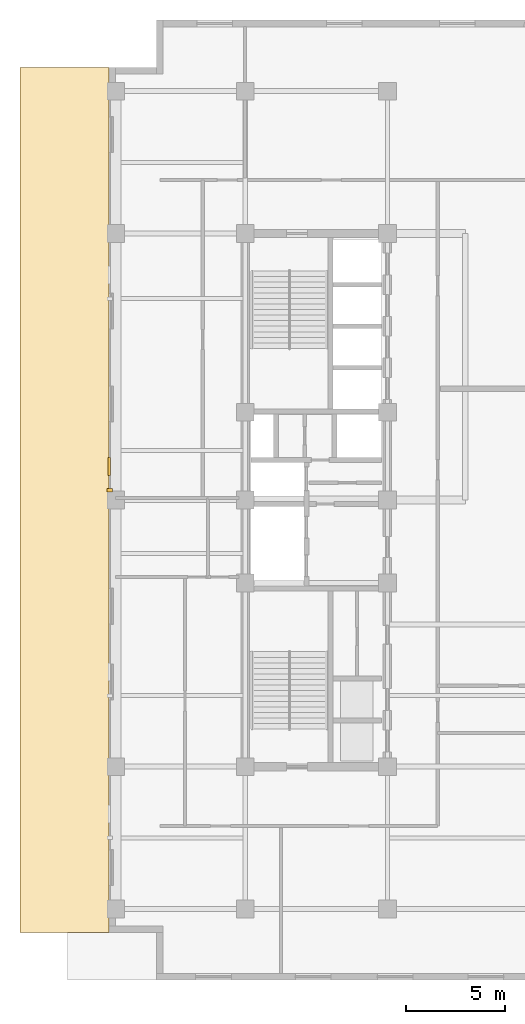
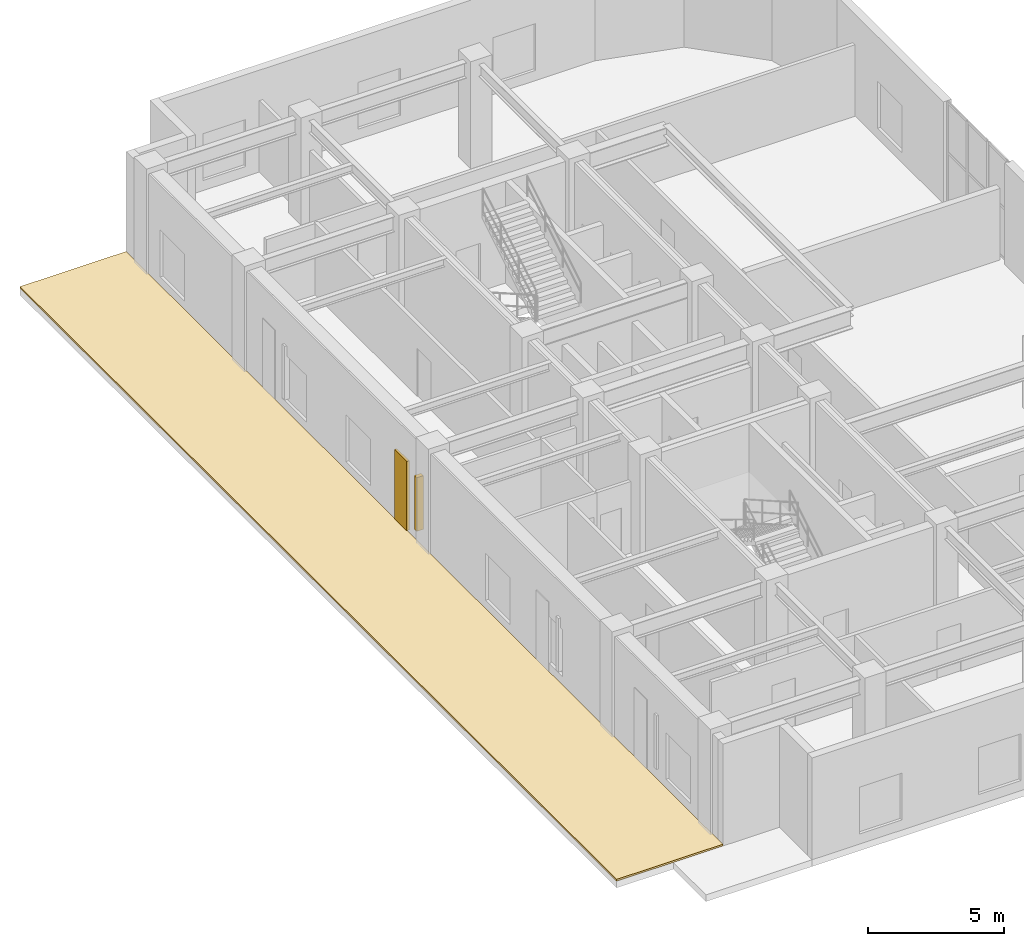
# One storey, part 12 of 16: 2 coverings, 1 shading device.
"""IFC4 building model written with IfcOpenShell, lengths in metres."""

from ifc_helpers import new_model, entity, si_unit, converted_unit, direction, frame, origin_with_axes, origin_2d_with_axis, place, context, subcontext, project, spatial, polyline, rectangle, outline, extrude, material, layer, layer_set, type_object, element, save


model = new_model("IFC4")

# Units and contexts
model_context = context("Model", 3, precision=1e-05, world=origin_with_axes(), true_north=direction((0.0, 1.0)))
body_context = subcontext(model_context, "Body", "Model", "MODEL_VIEW")
ifc_project = project(units=[si_unit("LENGTHUNIT", "METRE"), si_unit("AREAUNIT", "SQUARE_METRE"), si_unit("VOLUMEUNIT", "CUBIC_METRE"), converted_unit("PLANEANGLEUNIT", "DEGREE", entity("IfcPlaneAngleMeasure", 0.017453292519943295), si_unit("PLANEANGLEUNIT", "RADIAN"), dimensions=[0, 0, 0, 0, 0, 0, 0]), si_unit("MASSUNIT", "GRAM", prefix="KILO"), si_unit("THERMODYNAMICTEMPERATUREUNIT", "KELVIN")], contexts=[model_context])

# Site, building, storey
site_placement = place(None, origin_with_axes())
site = spatial("IfcSite", under=ifc_project, at=site_placement, CompositionType="ELEMENT")
building_placement = place(site_placement, origin_with_axes())
building = spatial("IfcBuilding", under=site, at=building_placement, Name="Varnlund Millrace Tower", CompositionType="ELEMENT")
storey_placement = place(building_placement, frame((0.0, 0.0, 219.9), z_axis=(0.0, 0.0, 1.0), x_axis=(1.0, 0.0, 0.0)))
storey = spatial("IfcBuildingStorey", under=building, at=storey_placement, Name="L54", CompositionType="ELEMENT", Elevation=219.9)

# Coverings
ifc_material_1 = material(Name="Precast concrete C50/60", Category="concrete")
ifc_layer_1 = layer(ifc_material_1, 0.11, Name="Precast concrete C50/60")
ifc_layer_set_1 = layer_set([ifc_layer_1], Name="Precast concrete C50/60")
covering_type_1 = type_object("IfcCoveringType", Name="Type-Cladding-KasotaPier-110", PredefinedType="CLADDING", material=ifc_layer_set_1)
covering_1_placement = place(storey_placement, frame((4.52, 26.0, 0.1), z_axis=(0.0, 0.0, 1.0), x_axis=(1.0, 0.0, 0.0)))
element("IfcCovering", 1, at=covering_1_placement, inside=storey, type_object=covering_type_1, Name="Type-Cladding-KasotaPier-110", PredefinedType="CLADDING", context=body_context, shape_type="SweptSolid", body=[
    extrude(rectangle(XDim=0.11, YDim=0.9, at=origin_2d_with_axis()), origin_with_axes(), (0.0, 0.0, 1.0), 3.1),
])
ifc_material_2 = material(Name="Insulated EPDM waterproof roof membrane")
ifc_layer_2 = layer(ifc_material_2, 0.12, Name="Insulated EPDM waterproof roof membrane")
ifc_layer_set_2 = layer_set([ifc_layer_2], Name="Insulated EPDM waterproof roof membrane")
covering_type_2 = type_object("IfcCoveringType", Name="Type-Roof-Membrane-120", PredefinedType="ROOFING", material=ifc_layer_set_2)
covering_2_placement = place(storey_placement, origin_with_axes())
element("IfcCovering", 2, at=covering_2_placement, inside=storey, type_object=covering_type_2, Name="Type-Roof-Membrane-120", PredefinedType="ROOFING", context=body_context, shape_type="SweptSolid", body=[
    extrude(outline(polyline([(4.5, 2.4), (4.5, 46.2), (0.0, 46.2), (0.0, 2.4), (4.5, 2.4)])), origin_with_axes(), (0.0, 0.0, 1.0), 0.08),
])

# Shading device
ifc_material_3 = material(Name="Architectural bronze fluted spandrel fin", Category="aluminium")
shading_device_type = type_object("IfcShadingDeviceType", Name="Type-Shade-ArtDecoFin", PredefinedType="USERDEFINED", material=ifc_material_3)
shading_device_placement = place(storey_placement, frame((4.55, 24.8, 0.6), z_axis=(0.0, 0.0, 1.0), x_axis=(1.0, 0.0, 0.0)))
element("IfcShadingDevice", 3, at=shading_device_placement, inside=storey, type_object=shading_device_type, Name="Type-Shade-ArtDecoFin", ObjectType="FIN", PredefinedType="USERDEFINED", context=body_context, shape_type="SweptSolid", body=[
    extrude(rectangle(XDim=0.28, YDim=0.18, at=origin_2d_with_axis()), origin_with_axes(), (0.0, 0.0, 1.0), 2.4),
])

save(model, "model.ifc")
